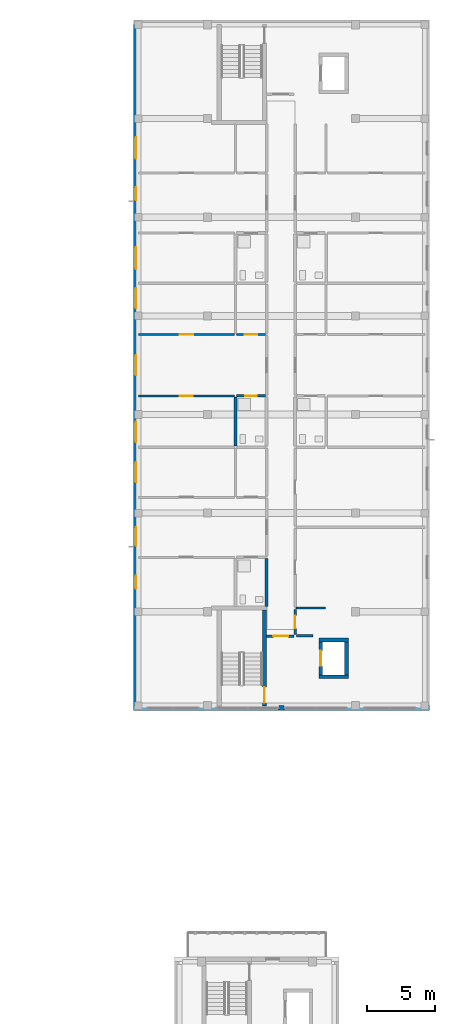
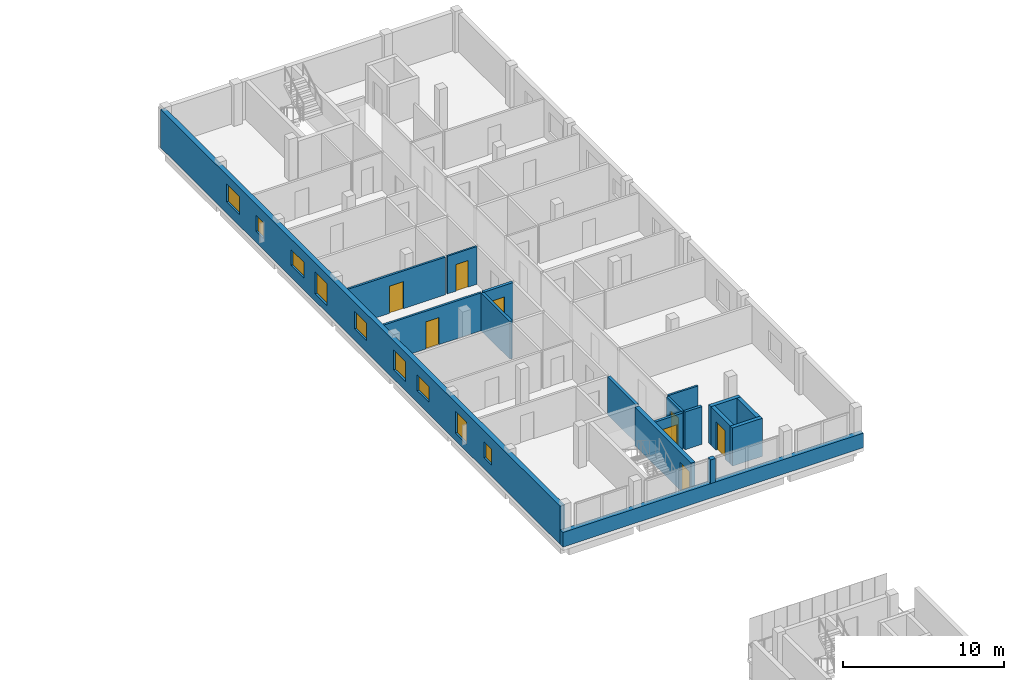
# One storey, part 17 of 35: 18 walls, 9 windows, 8 doors, 17 openings.
"""IFC4 building model written with IfcOpenShell, lengths in metres."""

from ifc_helpers import new_model, si_unit, derived_unit, direction, frame, frame_2d, origin, place, context, subcontext, project, spatial, rectangle, extrude, material, layer, layer_set, type_object, element, fill, save


model = new_model("IFC4")

# Units and contexts
model_context = context("Model", 3, precision=1e-05, world=origin(), true_north=direction((0.0, 1.0)))
body_context = subcontext(model_context, "Body", "Model", "MODEL_VIEW")
ifc_project = project(units=[si_unit("LENGTHUNIT", "METRE"), si_unit("AREAUNIT", "SQUARE_METRE"), si_unit("VOLUMEUNIT", "CUBIC_METRE"), si_unit("PLANEANGLEUNIT", "RADIAN"), si_unit("MASSUNIT", "GRAM", prefix="KILO"), derived_unit("THERMALTRANSMITTANCEUNIT", [(si_unit("MASSUNIT", "GRAM", prefix="KILO"), 1), (si_unit("TIMEUNIT", "SECOND"), -3), (si_unit("THERMODYNAMICTEMPERATUREUNIT", "KELVIN"), -1)])], contexts=[model_context])

# Site, building, storey
site_placement = place(None, origin())
site = spatial("IfcSite", under=ifc_project, at=site_placement, CompositionType="ELEMENT")
building_placement = place(site_placement, origin())
building = spatial("IfcBuilding", under=site, at=building_placement, Name="Ochrekiln Boulevard Commons", CompositionType="ELEMENT")
storey_placement = place(building_placement, frame((0.0, 0.0, 30.97509765625)))
storey = spatial("IfcBuildingStorey", under=building, at=storey_placement, Name="L09", CompositionType="ELEMENT", Elevation=30.97509765625)

# Wall, openings, windows
ifc_material_1 = material(Name="Iron-spot brown clinker brick masonry ASTM C216 Grade SW", Category="masonry")
ifc_layer_1 = layer(ifc_material_1, 0.340087890625)
ifc_layer_set_1 = layer_set([ifc_layer_1], Name="Iron-spot brown clinker brick masonry ASTM C216 Grade SW")
wall_type_1 = type_object("IfcWallType", Name="WL-EXT-IRON-340", PredefinedType="SOLIDWALL", material=ifc_layer_set_1)
wall_1_placement = place(storey_placement, frame((151.3701171875, 68.739990234375, 0.0), z_axis=(0.0, 0.0, 1.0), x_axis=(0.0, 1.0, 0.0)))
wall_1 = element("IfcWall", 1, at=wall_1_placement, inside=storey, type_object=wall_type_1, Name="Block B L09 W Exterior Wall", PredefinedType="SOLIDWALL", context=body_context, shape_type="SweptSolid", body=[
    extrude(rectangle(XDim=49.719970703125, YDim=0.340087890625, at=frame_2d((24.85986328125, 0.0))), origin(), (0.0, 0.0, 1.0), 2.89990234375),
])
opening_1_placement = place(wall_1_placement, frame((11.677001953125, 0.0, 0.56494140625)))
opening_1 = element("IfcOpeningElement", 2, at=opening_1_placement, cuts=wall_1, Name="Opening W-24", PredefinedType="OPENING", context=body_context, shape_type="SweptSolid", body=[
    extrude(rectangle(XDim=1.35009765625, YDim=1.64990234375, at=frame_2d((0.675048828125, 0.824951171875))), frame((0.0, 0.179931640625, 0.0), z_axis=(0.0, -1.0, 0.0), x_axis=(1.0, 0.0, 0.0)), (0.0, 0.0, 1.0), 0.360107421875),
])
opening_2_placement = place(wall_1_placement, frame((8.531982421875, 0.0, 0.85009765625)))
opening_2 = element("IfcOpeningElement", 3, at=opening_2_placement, cuts=wall_1, Name="Opening W-01", PredefinedType="OPENING", context=body_context, shape_type="SweptSolid", body=[
    extrude(rectangle(XDim=0.949951171875, YDim=1.199951171875, at=frame_2d((0.47509765625, 0.60009765625))), frame((0.0, 0.179931640625, 0.0), z_axis=(0.0, -1.0, 0.0), x_axis=(1.0, 0.0, 0.0)), (0.0, 0.0, 1.0), 0.360107421875),
])
opening_3_placement = place(wall_1_placement, frame((16.300048828125, 0.0, 0.89990234375)))
opening_3 = element("IfcOpeningElement", 4, at=opening_3_placement, cuts=wall_1, Name="Opening W-26", PredefinedType="OPENING", context=body_context, shape_type="SweptSolid", body=[
    extrude(rectangle(XDim=1.47998046875, YDim=1.199951171875, at=frame_2d((0.739990234375, 0.60009765625))), frame((0.0, 0.179931640625, 0.0), z_axis=(0.0, -1.0, 0.0), x_axis=(1.0, 0.0, 0.0)), (0.0, 0.0, 1.0), 0.360107421875),
])
opening_4_placement = place(wall_1_placement, frame((24.1201171875, 0.0, 0.864990234375)))
opening_4 = element("IfcOpeningElement", 5, at=opening_4_placement, cuts=wall_1, Name="Opening W-27", PredefinedType="OPENING", context=body_context, shape_type="SweptSolid", body=[
    extrude(rectangle(XDim=1.47998046875, YDim=1.35009765625, at=frame_2d((0.739990234375, 0.675048828125))), frame((0.0, 0.179931640625, 0.0), z_axis=(0.0, -1.0, 0.0), x_axis=(1.0, 0.0, 0.0)), (0.0, 0.0, 1.0), 0.360107421875),
])
opening_5_placement = place(wall_1_placement, frame((19.238037109375, 0.0, 0.715087890625)))
opening_5 = element("IfcOpeningElement", 6, at=opening_5_placement, cuts=wall_1, Name="Opening W-28", PredefinedType="OPENING", context=body_context, shape_type="SweptSolid", body=[
    extrude(rectangle(XDim=1.47998046875, YDim=1.5, at=frame_2d((0.739990234375, 0.75))), frame((0.0, 0.179931640625, 0.0), z_axis=(0.0, -1.0, 0.0), x_axis=(1.0, 0.0, 0.0)), (0.0, 0.0, 1.0), 0.360107421875),
])
opening_6_placement = place(wall_1_placement, frame((29.001953125, 0.0, 0.56494140625)))
opening_6 = element("IfcOpeningElement", 7, at=opening_6_placement, cuts=wall_1, Name="Opening W-29", PredefinedType="OPENING", context=body_context, shape_type="SweptSolid", body=[
    extrude(rectangle(XDim=1.47998046875, YDim=1.64990234375, at=frame_2d((0.739990234375, 0.824951171875))), frame((0.0, 0.179931640625, 0.0), z_axis=(0.0, -1.0, 0.0), x_axis=(1.0, 0.0, 0.0)), (0.0, 0.0, 1.0), 0.360107421875),
])
opening_7_placement = place(wall_1_placement, frame((36.89404296875, 0.0, 0.85009765625)))
opening_7 = element("IfcOpeningElement", 8, at=opening_7_placement, cuts=wall_1, Name="Opening W-01", PredefinedType="OPENING", context=body_context, shape_type="SweptSolid", body=[
    extrude(rectangle(XDim=0.949951171875, YDim=1.199951171875, at=frame_2d((0.47509765625, 0.60009765625))), frame((0.0, 0.179931640625, 0.0), z_axis=(0.0, -1.0, 0.0), x_axis=(1.0, 0.0, 0.0)), (0.0, 0.0, 1.0), 0.360107421875),
])
opening_8_placement = place(wall_1_placement, frame((31.881103515625, 0.0, 0.89990234375)))
opening_8 = element("IfcOpeningElement", 9, at=opening_8_placement, cuts=wall_1, Name="Opening W-31", PredefinedType="OPENING", context=body_context, shape_type="SweptSolid", body=[
    extrude(rectangle(XDim=1.60009765625, YDim=1.199951171875, at=frame_2d((0.800048828125, 0.60009765625))), frame((0.0, 0.179931640625, 0.0), z_axis=(0.0, -1.0, 0.0), x_axis=(1.0, 0.0, 0.0)), (0.0, 0.0, 1.0), 0.360107421875),
])
opening_9_placement = place(wall_1_placement, frame((39.9130859375, 0.0, 0.864990234375)))
opening_9 = element("IfcOpeningElement", 10, at=opening_9_placement, cuts=wall_1, Name="Opening W-32", PredefinedType="OPENING", context=body_context, shape_type="SweptSolid", body=[
    extrude(rectangle(XDim=1.60009765625, YDim=1.35009765625, at=frame_2d((0.800048828125, 0.675048828125))), frame((0.0, 0.179931640625, 0.0), z_axis=(0.0, -1.0, 0.0), x_axis=(1.0, 0.0, 0.0)), (0.0, 0.0, 1.0), 0.360107421875),
])
ifc_material_2 = material(Name="Thermally broken aluminium-clad oak frame", Category="aluminium")
window_type_1 = type_object("IfcWindowType", Name="WIN-EXT-01", PartitioningType="SINGLE_PANEL", PredefinedType="WINDOW", material=ifc_material_2)
window_1_placement = place(opening_2_placement, origin())
window_1 = element("IfcWindow", 11, at=window_1_placement, inside=storey, type_object=window_type_1, Name="Block B L09 Punched Masonry Window W-01", OverallHeight=1.199951171875, OverallWidth=0.949951171875, PartitioningType="SINGLE_PANEL", PredefinedType="WINDOW", context=body_context, shape_type="SweptSolid", body=[
    extrude(rectangle(XDim=0.949951171875, YDim=1.199951171875, at=frame_2d((0.47509765625, 0.60009765625))), frame((0.0, 0.030029296875, 0.0), z_axis=(0.0, -1.0, 0.0), x_axis=(1.0, 0.0, 0.0)), (0.0, 0.0, 1.0), 0.06005859375),
])
fill(opening_2, window_1)
window_2_placement = place(opening_7_placement, origin())
window_2 = element("IfcWindow", 12, at=window_2_placement, inside=storey, type_object=window_type_1, Name="Block B L09 Punched Masonry Window W-01", OverallHeight=1.199951171875, OverallWidth=0.949951171875, PartitioningType="SINGLE_PANEL", PredefinedType="WINDOW", context=body_context, shape_type="SweptSolid", body=[
    extrude(rectangle(XDim=0.949951171875, YDim=1.199951171875, at=frame_2d((0.47509765625, 0.60009765625))), frame((0.0, 0.030029296875, 0.0), z_axis=(0.0, -1.0, 0.0), x_axis=(1.0, 0.0, 0.0)), (0.0, 0.0, 1.0), 0.06005859375),
])
fill(opening_7, window_2)
window_type_2 = type_object("IfcWindowType", Name="WIN-EXT-24", PartitioningType="SINGLE_PANEL", PredefinedType="WINDOW", material=ifc_material_2)
window_3_placement = place(opening_1_placement, origin())
window_3 = element("IfcWindow", 13, at=window_3_placement, inside=storey, type_object=window_type_2, Name="Block B L09 Punched Masonry Window W-24", OverallHeight=1.64990234375, OverallWidth=1.35009765625, PartitioningType="SINGLE_PANEL", PredefinedType="WINDOW", context=body_context, shape_type="SweptSolid", body=[
    extrude(rectangle(XDim=1.35009765625, YDim=1.64990234375, at=frame_2d((0.675048828125, 0.824951171875))), frame((0.0, 0.030029296875, 0.0), z_axis=(0.0, -1.0, 0.0), x_axis=(1.0, 0.0, 0.0)), (0.0, 0.0, 1.0), 0.06005859375),
])
fill(opening_1, window_3)
window_type_3 = type_object("IfcWindowType", Name="WIN-EXT-26", PartitioningType="SINGLE_PANEL", PredefinedType="WINDOW", material=ifc_material_2)
window_4_placement = place(opening_3_placement, origin())
window_4 = element("IfcWindow", 14, at=window_4_placement, inside=storey, type_object=window_type_3, Name="Block B L09 Punched Masonry Window W-26", OverallHeight=1.199951171875, OverallWidth=1.47998046875, PartitioningType="SINGLE_PANEL", PredefinedType="WINDOW", context=body_context, shape_type="SweptSolid", body=[
    extrude(rectangle(XDim=1.47998046875, YDim=1.199951171875, at=frame_2d((0.739990234375, 0.60009765625))), frame((0.0, 0.030029296875, 0.0), z_axis=(0.0, -1.0, 0.0), x_axis=(1.0, 0.0, 0.0)), (0.0, 0.0, 1.0), 0.06005859375),
])
fill(opening_3, window_4)
window_type_4 = type_object("IfcWindowType", Name="WIN-EXT-27", PartitioningType="SINGLE_PANEL", PredefinedType="WINDOW", material=ifc_material_2)
window_5_placement = place(opening_4_placement, origin())
window_5 = element("IfcWindow", 15, at=window_5_placement, inside=storey, type_object=window_type_4, Name="Block B L09 Punched Masonry Window W-27", OverallHeight=1.35009765625, OverallWidth=1.47998046875, PartitioningType="SINGLE_PANEL", PredefinedType="WINDOW", context=body_context, shape_type="SweptSolid", body=[
    extrude(rectangle(XDim=1.47998046875, YDim=1.35009765625, at=frame_2d((0.739990234375, 0.675048828125))), frame((0.0, 0.030029296875, 0.0), z_axis=(0.0, -1.0, 0.0), x_axis=(1.0, 0.0, 0.0)), (0.0, 0.0, 1.0), 0.06005859375),
])
fill(opening_4, window_5)
window_type_5 = type_object("IfcWindowType", Name="WIN-EXT-28", PartitioningType="SINGLE_PANEL", PredefinedType="WINDOW", material=ifc_material_2)
window_6_placement = place(opening_5_placement, origin())
window_6 = element("IfcWindow", 16, at=window_6_placement, inside=storey, type_object=window_type_5, Name="Block B L09 Punched Masonry Window W-28", OverallHeight=1.5, OverallWidth=1.47998046875, PartitioningType="SINGLE_PANEL", PredefinedType="WINDOW", context=body_context, shape_type="SweptSolid", body=[
    extrude(rectangle(XDim=1.47998046875, YDim=1.5, at=frame_2d((0.739990234375, 0.75))), frame((0.0, 0.030029296875, 0.0), z_axis=(0.0, -1.0, 0.0), x_axis=(1.0, 0.0, 0.0)), (0.0, 0.0, 1.0), 0.06005859375),
])
fill(opening_5, window_6)
window_type_6 = type_object("IfcWindowType", Name="WIN-EXT-29", PartitioningType="SINGLE_PANEL", PredefinedType="WINDOW", material=ifc_material_2)
window_7_placement = place(opening_6_placement, origin())
window_7 = element("IfcWindow", 17, at=window_7_placement, inside=storey, type_object=window_type_6, Name="Block B L09 Punched Masonry Window W-29", OverallHeight=1.64990234375, OverallWidth=1.47998046875, PartitioningType="SINGLE_PANEL", PredefinedType="WINDOW", context=body_context, shape_type="SweptSolid", body=[
    extrude(rectangle(XDim=1.47998046875, YDim=1.64990234375, at=frame_2d((0.739990234375, 0.824951171875))), frame((0.0, 0.030029296875, 0.0), z_axis=(0.0, -1.0, 0.0), x_axis=(1.0, 0.0, 0.0)), (0.0, 0.0, 1.0), 0.06005859375),
])
fill(opening_6, window_7)
window_type_7 = type_object("IfcWindowType", Name="WIN-EXT-31", PartitioningType="DOUBLE_PANEL_VERTICAL", PredefinedType="WINDOW", material=ifc_material_2)
window_8_placement = place(opening_8_placement, origin())
window_8 = element("IfcWindow", 18, at=window_8_placement, inside=storey, type_object=window_type_7, Name="Block B L09 Punched Masonry Window W-31", OverallHeight=1.199951171875, OverallWidth=1.60009765625, PartitioningType="DOUBLE_PANEL_VERTICAL", PredefinedType="WINDOW", context=body_context, shape_type="SweptSolid", body=[
    extrude(rectangle(XDim=1.60009765625, YDim=1.199951171875, at=frame_2d((0.800048828125, 0.60009765625))), frame((0.0, 0.030029296875, 0.0), z_axis=(0.0, -1.0, 0.0), x_axis=(1.0, 0.0, 0.0)), (0.0, 0.0, 1.0), 0.06005859375),
])
fill(opening_8, window_8)
window_type_8 = type_object("IfcWindowType", Name="WIN-EXT-32", PartitioningType="DOUBLE_PANEL_VERTICAL", PredefinedType="WINDOW", material=ifc_material_2)
window_9_placement = place(opening_9_placement, origin())
window_9 = element("IfcWindow", 19, at=window_9_placement, inside=storey, type_object=window_type_8, Name="Block B L09 Punched Masonry Window W-32", OverallHeight=1.35009765625, OverallWidth=1.60009765625, PartitioningType="DOUBLE_PANEL_VERTICAL", PredefinedType="WINDOW", context=body_context, shape_type="SweptSolid", body=[
    extrude(rectangle(XDim=1.60009765625, YDim=1.35009765625, at=frame_2d((0.800048828125, 0.675048828125))), frame((0.0, 0.030029296875, 0.0), z_axis=(0.0, -1.0, 0.0), x_axis=(1.0, 0.0, 0.0)), (0.0, 0.0, 1.0), 0.06005859375),
])
fill(opening_9, window_9)

# Walls
wall_2_placement = place(storey_placement, frame((151.199951171875, 68.570068359375, 0.0), z_axis=(0.0, 0.0, 1.0), x_axis=(1.0, 0.0, 0.0)))
element("IfcWall", 20, at=wall_2_placement, inside=storey, type_object=wall_type_1, Name="Block B L09 Courtyard Gable Sill Wall", PredefinedType="SOLIDWALL", context=body_context, shape_type="SweptSolid", body=[
    extrude(rectangle(XDim=21.60009765625, YDim=0.340087890625, at=frame_2d((10.800048828125, 0.0))), origin(), (0.0, 0.0, 1.0), 1.10986328125),
])
wall_3_placement = place(storey_placement, frame((161.820068359375, 68.570068359375, 1.10986328125), z_axis=(0.0, 0.0, 1.0), x_axis=(1.0, 0.0, 0.0)))
element("IfcWall", 21, at=wall_3_placement, inside=storey, type_object=wall_type_1, Name="Block B L09 Courtyard Gable Mullion Pier", PredefinedType="SOLIDWALL", context=body_context, shape_type="SweptSolid", body=[
    extrude(rectangle(XDim=0.35986328125, YDim=0.340087890625, at=frame_2d((0.179931640625, 0.0))), origin(), (0.0, 0.0, 1.0), 1.7900390625),
])

# Wall, opening, door
ifc_material_3 = material(Name="Moisture-resistant cementitious tile backer wall")
ifc_layer_2 = layer(ifc_material_3, 0.199951171875)
ifc_layer_set_2 = layer_set([ifc_layer_2], Name="Moisture-resistant cementitious tile backer wall")
wall_type_2 = type_object("IfcWallType", Name="WL-PLM-200", PredefinedType="PLUMBINGWALL", material=ifc_layer_set_2)
wall_4_placement = place(storey_placement, frame((158.719970703125, 91.360107421875, 0.0), z_axis=(0.0, 0.0, 1.0), x_axis=(1.0, 0.0, 0.0)))
wall_4 = element("IfcWall", 22, at=wall_4_placement, inside=storey, type_object=wall_type_2, Name="L09 Interior Wall W-PW200", PredefinedType="PLUMBINGWALL", context=body_context, shape_type="SweptSolid", body=[
    extrude(rectangle(XDim=2.10693359375, YDim=0.199951171875, at=frame_2d((1.053466796875, 0.0))), origin(), (0.0, 0.0, 1.0), 2.869873046875),
])
opening_10_placement = place(wall_4_placement, frame((0.6201171875, 0.0, 0.0)))
opening_10 = element("IfcOpeningElement", 23, at=opening_10_placement, cuts=wall_4, Name="Opening D-L09-1136", PredefinedType="OPENING", context=body_context, shape_type="SweptSolid", body=[
    extrude(rectangle(XDim=0.860107421875, YDim=2.0, at=frame_2d((0.43017578125, 1.0))), frame((0.0, 0.10986328125, 0.0), z_axis=(0.0, -1.0, 0.0), x_axis=(1.0, 0.0, 0.0)), (0.0, 0.0, 1.0), 0.219970703125),
])
ifc_material_4 = material(Name="Solid core architectural oak door leaf")
door_type_1 = type_object("IfcDoorType", Name="DR-INT-BTH-086", OperationType="NOTDEFINED", PredefinedType="DOOR", material=ifc_material_4)
door_1_placement = place(opening_10_placement, frame((0.860107421875, 0.0, 0.0), z_axis=(0.0, 0.0, 1.0), x_axis=(-1.0, 0.0, 0.0)))
door_1 = element("IfcDoor", 24, at=door_1_placement, inside=storey, type_object=door_type_1, Name="L09 Interior Door to Apartment Bathroom", OperationType="SINGLE_SWING_RIGHT", OverallHeight=2.0, OverallWidth=0.860107421875, PredefinedType="DOOR", context=body_context, shape_type="SweptSolid", body=[
    extrude(rectangle(XDim=0.860107421875, YDim=2.0, at=frame_2d((0.43017578125, 1.0))), frame((0.0, 0.02490234375, 0.0), z_axis=(0.0, -1.0, 0.0), x_axis=(1.0, 0.0, 0.0)), (0.0, 0.0, 1.0), 0.050048828125),
])
fill(opening_10, door_1)

# Walls
wall_5_placement = place(storey_placement, frame((158.639892578125, 87.7060546875, 0.0), z_axis=(0.0, 0.0, 1.0), x_axis=(0.0, 1.0, 0.0)))
element("IfcWall", 25, at=wall_5_placement, inside=storey, type_object=wall_type_2, Name="L09 Interior Wall W-PW200", PredefinedType="PLUMBINGWALL", context=body_context, shape_type="SweptSolid", body=[
    extrude(rectangle(XDim=3.573974609375, YDim=0.199951171875, at=frame_2d((1.787109375, 0.0))), origin(), (0.0, 0.0, 1.0), 2.869873046875),
])
ifc_layer_3 = layer(ifc_material_3, 0.219970703125)
ifc_layer_set_3 = layer_set([ifc_layer_3], Name="Moisture-resistant cementitious tile backer wall")
wall_type_3 = type_object("IfcWallType", Name="WL-PLM-220", PredefinedType="PLUMBINGWALL", material=ifc_layer_set_3)
wall_6_placement = place(storey_placement, frame((160.909912109375, 76.0, 0.0), z_axis=(0.0, 0.0, 1.0), x_axis=(0.0, 1.0, 0.0)))
element("IfcWall", 26, at=wall_6_placement, inside=storey, type_object=wall_type_3, Name="L09 Interior Wall W-PW220", PredefinedType="PLUMBINGWALL", context=body_context, shape_type="SweptSolid", body=[
    extrude(rectangle(XDim=3.492919921875, YDim=0.219970703125, at=frame_2d((1.74658203125, 0.0))), origin(), (0.0, 0.0, 1.0), 2.869873046875),
])
ifc_material_5 = material(Name="Fire-rated Type X gypsum board on steel studs", Category="steel")
ifc_layer_4 = layer(ifc_material_5, 0.139892578125)
ifc_layer_set_4 = layer_set([ifc_layer_4], Name="Fire-rated Type X gypsum board on steel studs")
wall_type_4 = type_object("IfcWallType", Name="WL-PT-ACO-140", PredefinedType="PARTITIONING", material=ifc_layer_set_4)
wall_7_placement = place(storey_placement, frame((163.072998046875, 75.875, 0.0), z_axis=(0.0, 0.0, 1.0), x_axis=(1.0, 0.0, 0.0)))
element("IfcWall", 27, at=wall_7_placement, inside=storey, type_object=wall_type_4, Name="L09 Interior Wall W-PA140", PredefinedType="PARTITIONING", context=body_context, shape_type="SweptSolid", body=[
    extrude(rectangle(XDim=2.126953125, YDim=0.139892578125, at=frame_2d((1.0634765625, 0.0))), origin(), (0.0, 0.0, 1.0), 2.869873046875),
])

# Wall, opening, door
ifc_layer_5 = layer(ifc_material_5, 0.1650390625)
ifc_layer_set_5 = layer_set([ifc_layer_5], Name="Fire-rated Type X gypsum board on steel studs")
wall_type_5 = type_object("IfcWallType", Name="WL-PT-CORR-165", PredefinedType="PARTITIONING", material=ifc_layer_set_5)
wall_8_placement = place(storey_placement, frame((162.989990234375, 73.929931640625, 0.0), z_axis=(0.0, 0.0, 1.0), x_axis=(0.0, 1.0, 0.0)))
wall_8 = element("IfcWall", 28, at=wall_8_placement, inside=storey, type_object=wall_type_5, Name="L09 Interior Wall W-PC165", PredefinedType="PARTITIONING", context=body_context, shape_type="SweptSolid", body=[
    extrude(rectangle(XDim=1.820068359375, YDim=0.1650390625, at=frame_2d((0.91015625, 0.0))), origin(), (0.0, 0.0, 1.0), 2.869873046875),
])
opening_11_placement = place(wall_8_placement, frame((0.4599609375, 0.0, 0.0)))
opening_11 = element("IfcOpeningElement", 29, at=opening_11_placement, cuts=wall_8, Name="Opening D-L09-1124", PredefinedType="OPENING", context=body_context, shape_type="SweptSolid", body=[
    extrude(rectangle(XDim=0.919921875, YDim=2.0400390625, at=frame_2d((0.4599609375, 1.02001953125))), frame((0.0, 0.092529296875, 0.0), z_axis=(0.0, -1.0, 0.0), x_axis=(1.0, 0.0, 0.0)), (0.0, 0.0, 1.0), 0.18505859375),
])
ifc_material_6 = material(Name="Hollow metal fire-rated steel door assembly", Category="steel")
door_type_2 = type_object("IfcDoorType", Name="DR-SRV-90", OperationType="NOTDEFINED", PredefinedType="DOOR", material=ifc_material_6)
door_2_placement = place(opening_11_placement, frame((0.919921875, 0.0, 0.0), z_axis=(0.0, 0.0, 1.0), x_axis=(-1.0, 0.0, 0.0)))
door_2 = element("IfcDoor", 30, at=door_2_placement, inside=storey, type_object=door_type_2, Name="L09 Interior Door to Hydronic and Electrical Riser Room", OperationType="SINGLE_SWING_RIGHT", OverallHeight=2.0400390625, OverallWidth=0.919921875, PredefinedType="DOOR", context=body_context, shape_type="SweptSolid", body=[
    extrude(rectangle(XDim=0.919921875, YDim=2.0400390625, at=frame_2d((0.4599609375, 1.02001953125))), frame((0.0, 0.02490234375, 0.0), z_axis=(0.0, -1.0, 0.0), x_axis=(1.0, 0.0, 0.0)), (0.0, 0.0, 1.0), 0.050048828125),
])
fill(opening_11, door_2)

# Wall
ifc_layer_6 = layer(ifc_material_5, 0.18994140625)
ifc_layer_set_6 = layer_set([ifc_layer_6], Name="Fire-rated Type X gypsum board on steel studs")
wall_type_6 = type_object("IfcWallType", Name="WL-PT-LBY-190", PredefinedType="PARTITIONING", material=ifc_layer_set_6)
wall_9_placement = place(storey_placement, frame((163.080078125, 73.8349609375, 0.0), z_axis=(0.0, 0.0, 1.0), x_axis=(1.0, 0.0, 0.0)))
element("IfcWall", 31, at=wall_9_placement, inside=storey, type_object=wall_type_6, Name="L09 Interior Wall W-PL190", PredefinedType="PARTITIONING", context=body_context, shape_type="SweptSolid", body=[
    extrude(rectangle(XDim=1.219970703125, YDim=0.18994140625, at=frame_2d((0.60986328125, 0.0))), origin(), (0.0, 0.0, 1.0), 2.869873046875),
])

# Wall, opening, door
wall_10_placement = place(storey_placement, frame((160.89990234375, 73.820068359375, 0.0), z_axis=(0.0, 0.0, 1.0), x_axis=(1.0, 0.0, 0.0)))
wall_10 = element("IfcWall", 32, at=wall_10_placement, inside=storey, type_object=wall_type_6, Name="L09 Interior Wall W-PL190", PredefinedType="PARTITIONING", context=body_context, shape_type="SweptSolid", body=[
    extrude(rectangle(XDim=2.0, YDim=0.18994140625, at=frame_2d((1.0, 0.0))), origin(), (0.0, 0.0, 1.0), 2.869873046875),
])
opening_12_placement = place(wall_10_placement, frame((0.5, 0.0, 0.0)))
opening_12 = element("IfcOpeningElement", 33, at=opening_12_placement, cuts=wall_10, Name="Opening D-L09-1122", PredefinedType="OPENING", context=body_context, shape_type="SweptSolid", body=[
    extrude(rectangle(XDim=1.10009765625, YDim=2.1201171875, at=frame_2d((0.550048828125, 1.06005859375))), frame((0.0, 0.10498046875, 0.0), z_axis=(0.0, -1.0, 0.0), x_axis=(1.0, 0.0, 0.0)), (0.0, 0.0, 1.0), 0.2099609375),
])
door_type_3 = type_object("IfcDoorType", Name="DR-LOBBY-60", OperationType="NOTDEFINED", PredefinedType="DOOR", material=ifc_material_6)
door_3_placement = place(opening_12_placement, frame((1.10009765625, 0.0, 0.0), z_axis=(0.0, 0.0, 1.0), x_axis=(-1.0, 0.0, 0.0)))
door_3 = element("IfcDoor", 34, at=door_3_placement, inside=storey, type_object=door_type_3, Name="L09 Interior Door to Fire Service Access Elevator Lobby", OperationType="SINGLE_SWING_RIGHT", OverallHeight=2.1201171875, OverallWidth=1.10009765625, PredefinedType="DOOR", context=body_context, shape_type="SweptSolid", body=[
    extrude(rectangle(XDim=1.10009765625, YDim=2.1201171875, at=frame_2d((0.550048828125, 1.06005859375))), frame((0.0, 0.02490234375, 0.0), z_axis=(0.0, -1.0, 0.0), x_axis=(1.0, 0.0, 0.0)), (0.0, 0.0, 1.0), 0.050048828125),
])
fill(opening_12, door_3)

ifc_layer_7 = layer(ifc_material_5, 0.1201171875)
ifc_layer_set_7 = layer_set([ifc_layer_7], Name="Fire-rated Type X gypsum board on steel studs")
wall_type_7 = type_object("IfcWallType", Name="WL-PT-LGT-120", PredefinedType="PARTITIONING", material=ifc_layer_set_7)
wall_11_placement = place(storey_placement, frame((158.719970703125, 95.840087890625, 0.0), z_axis=(0.0, 0.0, 1.0), x_axis=(1.0, 0.0, 0.0)))
wall_11 = element("IfcWall", 35, at=wall_11_placement, inside=storey, type_object=wall_type_7, Name="L09 Interior Wall W-PL120", PredefinedType="PARTITIONING", context=body_context, shape_type="SweptSolid", body=[
    extrude(rectangle(XDim=2.10693359375, YDim=0.1201171875, at=frame_2d((1.053466796875, 0.0))), origin(), (0.0, 0.0, 1.0), 2.869873046875),
])
opening_13_placement = place(wall_11_placement, frame((0.610107421875, 0.0, 0.0)))
opening_13 = element("IfcOpeningElement", 36, at=opening_13_placement, cuts=wall_11, Name="Opening D-L09-1137", PredefinedType="OPENING", context=body_context, shape_type="SweptSolid", body=[
    extrude(rectangle(XDim=0.8798828125, YDim=2.02001953125, at=frame_2d((0.43994140625, 1.010009765625))), frame((0.0, 0.070068359375, 0.0), z_axis=(0.0, -1.0, 0.0), x_axis=(1.0, 0.0, 0.0)), (0.0, 0.0, 1.0), 0.14013671875),
])
door_type_4 = type_object("IfcDoorType", Name="DR-INT-KIT-088", OperationType="NOTDEFINED", PredefinedType="DOOR", material=ifc_material_4)
door_4_placement = place(opening_13_placement, origin())
door_4 = element("IfcDoor", 37, at=door_4_placement, inside=storey, type_object=door_type_4, Name="L09 Interior Door to Apartment Kitchen", OperationType="SINGLE_SWING_LEFT", OverallHeight=2.02001953125, OverallWidth=0.8798828125, PredefinedType="DOOR", context=body_context, shape_type="SweptSolid", body=[
    extrude(rectangle(XDim=0.8798828125, YDim=2.02001953125, at=frame_2d((0.43994140625, 1.010009765625))), frame((0.0, 0.02490234375, 0.0), z_axis=(0.0, -1.0, 0.0), x_axis=(1.0, 0.0, 0.0)), (0.0, 0.0, 1.0), 0.050048828125),
])
fill(opening_13, door_4)

ifc_layer_8 = layer(ifc_material_5, 0.14990234375)
ifc_layer_set_8 = layer_set([ifc_layer_8], Name="Fire-rated Type X gypsum board on steel studs")
wall_type_8 = type_object("IfcWallType", Name="WL-PT-STD-150", PredefinedType="PARTITIONING", material=ifc_layer_set_8)
wall_12_placement = place(storey_placement, frame((151.5400390625, 91.360107421875, 0.0), z_axis=(0.0, 0.0, 1.0), x_axis=(1.0, 0.0, 0.0)))
wall_12 = element("IfcWall", 38, at=wall_12_placement, inside=storey, type_object=wall_type_8, Name="L09 Interior Wall W-PS150", PredefinedType="PARTITIONING", context=body_context, shape_type="SweptSolid", body=[
    extrude(rectangle(XDim=7.02001953125, YDim=0.14990234375, at=frame_2d((3.510009765625, 0.0))), origin(), (0.0, 0.0, 1.0), 2.869873046875),
])
opening_14_placement = place(wall_12_placement, frame((3.044921875, 0.0, 0.0)))
opening_14 = element("IfcOpeningElement", 39, at=opening_14_placement, cuts=wall_12, Name="Opening D-L09-1138", PredefinedType="OPENING", context=body_context, shape_type="SweptSolid", body=[
    extrude(rectangle(XDim=0.93994140625, YDim=2.06005859375, at=frame_2d((0.469970703125, 1.030029296875))), frame((0.0, 0.0849609375, 0.0), z_axis=(0.0, -1.0, 0.0), x_axis=(1.0, 0.0, 0.0)), (0.0, 0.0, 1.0), 0.169921875),
])
door_type_5 = type_object("IfcDoorType", Name="DR-INT-BED-094", OperationType="NOTDEFINED", PredefinedType="DOOR", material=ifc_material_4)
door_5_placement = place(opening_14_placement, frame((0.93994140625, 0.0, 0.0), z_axis=(0.0, 0.0, 1.0), x_axis=(-1.0, 0.0, 0.0)))
door_5 = element("IfcDoor", 40, at=door_5_placement, inside=storey, type_object=door_type_5, Name="L09 Interior Door to Primary Apartment Bedroom", OperationType="SINGLE_SWING_RIGHT", OverallHeight=2.06005859375, OverallWidth=0.93994140625, PredefinedType="DOOR", context=body_context, shape_type="SweptSolid", body=[
    extrude(rectangle(XDim=0.93994140625, YDim=2.06005859375, at=frame_2d((0.469970703125, 1.030029296875))), frame((0.0, 0.02490234375, 0.0), z_axis=(0.0, -1.0, 0.0), x_axis=(1.0, 0.0, 0.0)), (0.0, 0.0, 1.0), 0.050048828125),
])
fill(opening_14, door_5)

wall_13_placement = place(storey_placement, frame((151.5400390625, 95.840087890625, 0.0), z_axis=(0.0, 0.0, 1.0), x_axis=(1.0, 0.0, 0.0)))
wall_13 = element("IfcWall", 41, at=wall_13_placement, inside=storey, type_object=wall_type_8, Name="L09 Interior Wall W-PS150", PredefinedType="PARTITIONING", context=body_context, shape_type="SweptSolid", body=[
    extrude(rectangle(XDim=7.02001953125, YDim=0.14990234375, at=frame_2d((3.510009765625, 0.0))), origin(), (0.0, 0.0, 1.0), 2.869873046875),
])
opening_15_placement = place(wall_13_placement, frame((3.014892578125, 0.0, 0.0)))
opening_15 = element("IfcOpeningElement", 42, at=opening_15_placement, cuts=wall_13, Name="Opening D-L09-1139", PredefinedType="OPENING", context=body_context, shape_type="SweptSolid", body=[
    extrude(rectangle(XDim=1.0, YDim=2.06005859375, at=frame_2d((0.5, 1.030029296875))), frame((0.0, 0.0849609375, 0.0), z_axis=(0.0, -1.0, 0.0), x_axis=(1.0, 0.0, 0.0)), (0.0, 0.0, 1.0), 0.169921875),
])
door_type_6 = type_object("IfcDoorType", Name="DR-INT-BED-100", OperationType="NOTDEFINED", PredefinedType="DOOR", material=ifc_material_4)
door_6_placement = place(opening_15_placement, origin())
door_6 = element("IfcDoor", 43, at=door_6_placement, inside=storey, type_object=door_type_6, Name="L09 Interior Door to Secondary Apartment Bedroom", OperationType="SINGLE_SWING_LEFT", OverallHeight=2.06005859375, OverallWidth=1.0, PredefinedType="DOOR", context=body_context, shape_type="SweptSolid", body=[
    extrude(rectangle(XDim=1.0, YDim=2.06005859375, at=frame_2d((0.5, 1.030029296875))), frame((0.0, 0.02490234375, 0.0), z_axis=(0.0, -1.0, 0.0), x_axis=(1.0, 0.0, 0.0)), (0.0, 0.0, 1.0), 0.050048828125),
])
fill(opening_15, door_6)

# Walls
ifc_material_7 = material(Name="Concrete C40/50", Category="concrete")
ifc_layer_9 = layer(ifc_material_7, 0.27490234375)
ifc_layer_set_9 = layer_set([ifc_layer_9], Name="Concrete C40/50")
wall_type_9 = type_object("IfcWallType", Name="WL-SH-275", PredefinedType="SHEAR", material=ifc_layer_set_9)
for number, where, z_axis, x_axis, name in (
    (44, (164.72509765625, 70.862548828125, 0.0), (0.0, 0.0, 1.0), (1.0, 0.0, 0.0), "Elevator FF-B1 L09 Hoistway Shear Wall"),
    (45, (164.72509765625, 73.53759765625, 0.0), (0.0, 0.0, 1.0), (1.0, 0.0, 0.0), "Elevator FF-B1 L09 Hoistway Shear Wall"),
):
    element("IfcWall", number, at=place(storey_placement, frame(where, z_axis=z_axis, x_axis=x_axis)), inside=storey, type_object=wall_type_9, Name=name, PredefinedType="SHEAR", context=body_context, shape_type="SweptSolid", body=[
        extrude(rectangle(XDim=2.14990234375, YDim=0.27490234375, at=frame_2d((1.074951171875, 0.0))), origin(), (0.0, 0.0, 1.0), 2.89990234375),
    ])

# Wall, opening, door
wall_14_placement = place(storey_placement, frame((164.862548828125, 71.0, 0.0), z_axis=(0.0, 0.0, 1.0), x_axis=(0.0, 1.0, 0.0)))
wall_14 = element("IfcWall", 46, at=wall_14_placement, inside=storey, type_object=wall_type_9, Name="Elevator FF-B1 L09 Hoistway Shear Wall", PredefinedType="SHEAR", context=body_context, shape_type="SweptSolid", body=[
    extrude(rectangle(XDim=2.39990234375, YDim=0.27490234375, at=frame_2d((1.199951171875, 0.0))), origin(), (0.0, 0.0, 1.0), 2.89990234375),
])
opening_16_placement = place(wall_14_placement, frame((0.64990234375, 0.0, 0.0)))
opening_16 = element("IfcOpeningElement", 47, at=opening_16_placement, cuts=wall_14, Name="Opening LD-FF-B1-L09", PredefinedType="OPENING", context=body_context, shape_type="SweptSolid", body=[
    extrude(rectangle(XDim=1.10009765625, YDim=2.14990234375, at=frame_2d((0.550048828125, 1.074951171875))), frame((0.0, 0.1474609375, 0.0), z_axis=(0.0, -1.0, 0.0), x_axis=(1.0, 0.0, 0.0)), (0.0, 0.0, 1.0), 0.294921875),
])
ifc_material_8 = material(Name="Brushed stainless steel 316 elevator cab and doors", Category="steel")
door_type_7 = type_object("IfcDoorType", Name="DR-LIFT-LD90", OperationType="SLIDING_TO_LEFT", PredefinedType="DOOR", material=ifc_material_8)
door_7_placement = place(opening_16_placement, origin())
door_7 = element("IfcDoor", 48, at=door_7_placement, inside=storey, type_object=door_type_7, Name="Elevator FF-B1 L09 Sliding Landing Door LD-FF-B1-L09", OperationType="SLIDING_TO_LEFT", OverallHeight=2.14990234375, OverallWidth=1.10009765625, PredefinedType="DOOR", context=body_context, shape_type="SweptSolid", body=[
    extrude(rectangle(XDim=1.10009765625, YDim=2.14990234375, at=frame_2d((0.550048828125, 1.074951171875))), frame((0.0, 0.02490234375, 0.0), z_axis=(0.0, -1.0, 0.0), x_axis=(1.0, 0.0, 0.0)), (0.0, 0.0, 1.0), 0.050048828125),
])
fill(opening_16, door_7)

# Wall
wall_15_placement = place(storey_placement, frame((166.737548828125, 71.0, 0.0), z_axis=(0.0, 0.0, 1.0), x_axis=(0.0, 1.0, 0.0)))
element("IfcWall", 49, at=wall_15_placement, inside=storey, type_object=wall_type_9, Name="Elevator FF-B1 L09 Hoistway Shear Wall", PredefinedType="SHEAR", context=body_context, shape_type="SweptSolid", body=[
    extrude(rectangle(XDim=2.39990234375, YDim=0.27490234375, at=frame_2d((1.199951171875, 0.0))), origin(), (0.0, 0.0, 1.0), 2.89990234375),
])

# Wall, opening, door
ifc_layer_10 = layer(ifc_material_7, 0.300048828125)
ifc_layer_set_10 = layer_set([ifc_layer_10], Name="Concrete C40/50")
wall_type_10 = type_object("IfcWallType", Name="WL-SH-300", PredefinedType="SHEAR", material=ifc_layer_set_10)
wall_16_placement = place(storey_placement, frame((160.75, 68.719970703125, 0.0), z_axis=(0.0, 0.0, 1.0), x_axis=(0.0, 1.0, 0.0)))
wall_16 = element("IfcWall", 50, at=wall_16_placement, inside=storey, type_object=wall_type_10, Name="Stair ST-B1 L09 Core Shear Wall E", PredefinedType="SHEAR", context=body_context, shape_type="SweptSolid", body=[
    extrude(rectangle(XDim=7.0, YDim=0.300048828125, at=frame_2d((3.5, 0.0))), origin(), (0.0, 0.0, 1.0), 2.89990234375),
])
opening_17_placement = place(wall_16_placement, frame((0.22509765625, 0.0, 0.0)))
opening_17 = element("IfcOpeningElement", 51, at=opening_17_placement, cuts=wall_16, Name="Opening D-L09-ST-B1", PredefinedType="OPENING", context=body_context, shape_type="SweptSolid", body=[
    extrude(rectangle(XDim=1.14990234375, YDim=2.1201171875, at=frame_2d((0.574951171875, 1.06005859375))), frame((0.0, 0.159912109375, 0.0), z_axis=(0.0, -1.0, 0.0), x_axis=(1.0, 0.0, 0.0)), (0.0, 0.0, 1.0), 0.320068359375),
])
door_type_8 = type_object("IfcDoorType", Name="DR-STAIR-90", OperationType="NOTDEFINED", PredefinedType="DOOR", material=ifc_material_6)
door_8_placement = place(opening_17_placement, origin())
door_8 = element("IfcDoor", 52, at=door_8_placement, inside=storey, type_object=door_type_8, Name="Enclosed Exit Stair ST-B1 L09 Rated Door", OperationType="SINGLE_SWING_LEFT", OverallHeight=2.1201171875, OverallWidth=1.14990234375, PredefinedType="DOOR", context=body_context, shape_type="SweptSolid", body=[
    extrude(rectangle(XDim=1.14990234375, YDim=2.1201171875, at=frame_2d((0.574951171875, 1.06005859375))), frame((0.0, 0.02490234375, 0.0), z_axis=(0.0, -1.0, 0.0), x_axis=(1.0, 0.0, 0.0)), (0.0, 0.0, 1.0), 0.050048828125),
])
fill(opening_17, door_8)

save(model, "model.ifc")
